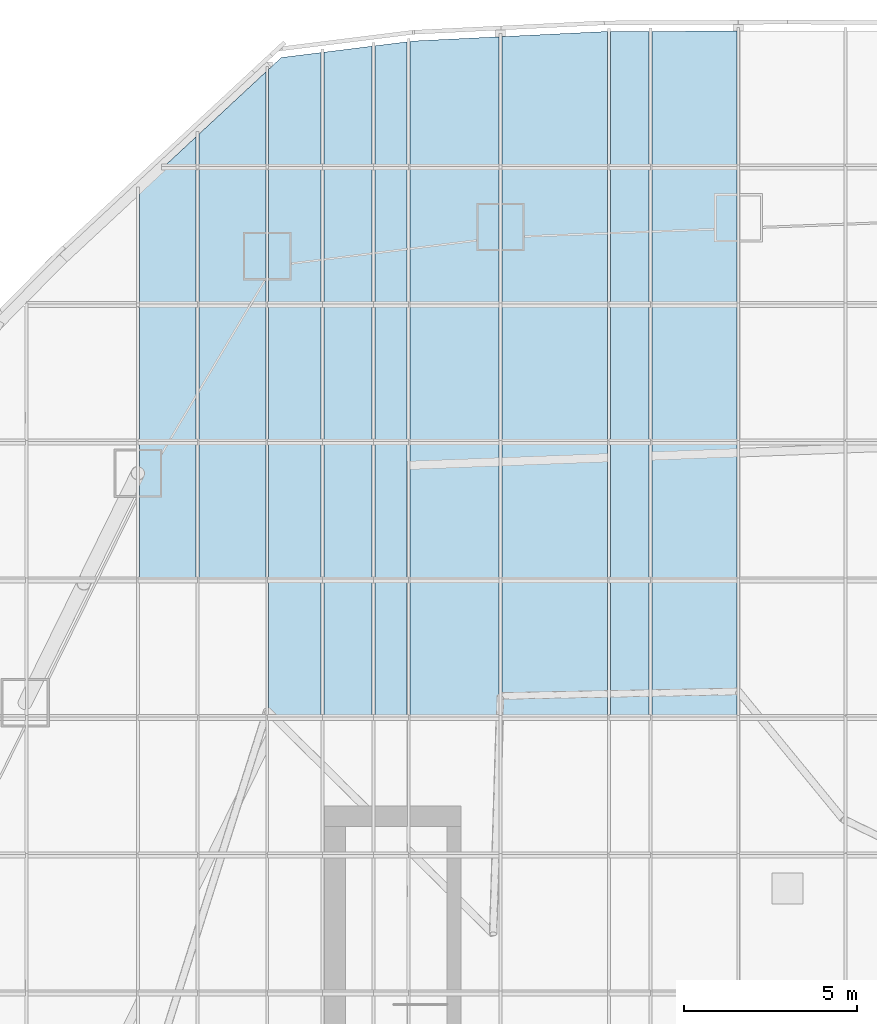
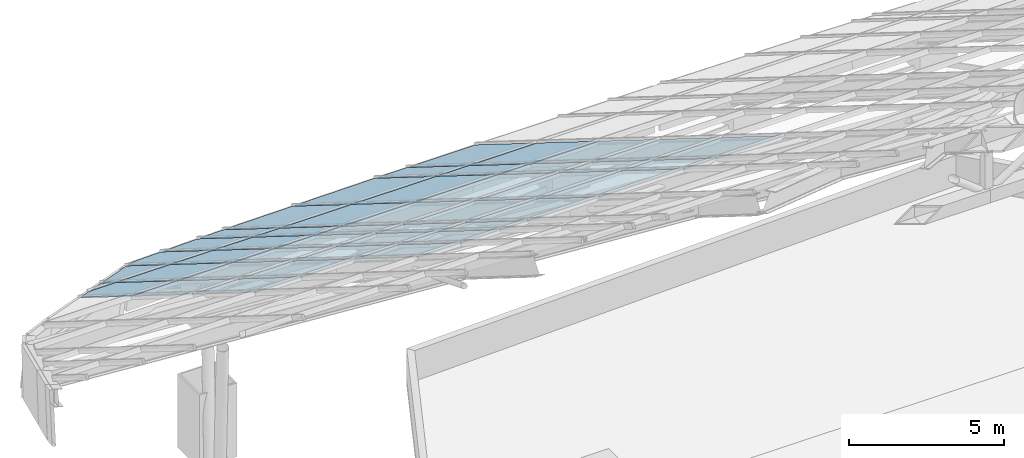
# One storey, part 32 of 38: 43 plates, 43 elements without a shape of their own.
"""IFC4 building model written with IfcOpenShell, lengths in metres."""

from ifc_helpers import new_model, si_unit, direction, frame, origin, place, context, subcontext, project, spatial, polyline, outline, extrude, material, layer, layer_set, type_object, element, aggregate, save


model = new_model("IFC4")

# Units and contexts
model_context = context("Model", 3, precision=1e-05, world=origin(), true_north=direction((0.0, 1.0)))
body_context = subcontext(model_context, "Body", "Model", "MODEL_VIEW")
ifc_project = project(units=[si_unit("LENGTHUNIT", "METRE"), si_unit("AREAUNIT", "SQUARE_METRE"), si_unit("VOLUMEUNIT", "CUBIC_METRE"), si_unit("PLANEANGLEUNIT", "RADIAN"), si_unit("MASSUNIT", "GRAM", prefix="KILO")], contexts=[model_context])

# Site, building, storey
site_placement = place(None, origin())
site = spatial("IfcSite", under=ifc_project, at=site_placement, CompositionType="ELEMENT")
building_placement = place(site_placement, origin())
building = spatial("IfcBuilding", under=site, at=building_placement, Name="Dongbaek Canopy Tower", CompositionType="ELEMENT")
storey_placement = place(building_placement, frame((0.0, 0.0, 375.800048828125)))
storey = spatial("IfcBuildingStorey", under=building, at=storey_placement, Name="Roof", CompositionType="ELEMENT", Elevation=375.800048828125)

# Curtain wall, plate
ifc_material_1 = material(Name="Aluminium 6063-T6 pale anodised", Category="aluminium")
ifc_layer_1 = layer(ifc_material_1, 0.199951171875)
ifc_layer_set_1 = layer_set([ifc_layer_1], Name="CW-6 canopy glazing curtain wall")
curtain_wall_type = type_object("IfcCurtainWallType", Name="CW-6 canopy glazing curtain wall", PredefinedType="NOTDEFINED", material=ifc_layer_set_1)
curtain_wall_1_placement = place(storey_placement, origin())
curtain_wall_1 = element("IfcCurtainWall", 1, at=curtain_wall_1_placement, inside=storey, type_object=curtain_wall_type, Name="CW-6 canopy glazing north 7.5", PredefinedType="NOTDEFINED")
ifc_material_2 = material(Name="Clear laminated glass", Category="glass")
ifc_layer_2 = layer(ifc_material_2, 0.0400390625)
ifc_layer_set_2 = layer_set([ifc_layer_2], Name="CW-6 glazed panel 40")
plate_type = type_object("IfcPlateType", Name="CW-6 glazed panel 40", PredefinedType="CURTAIN_PANEL", material=ifc_layer_set_2)
plate_1_placement = place(storey_placement, frame((-17.126953125, 16.98779296875, 8.132080078125), z_axis=(0.0, 0.529946450558, 0.848031107649), x_axis=(-1.0, 0.0, 0.0)))
plate_1 = element("IfcPlate", 2, at=plate_1_placement, type_object=plate_type, Name="CW-6 panel N7.5", PredefinedType="CURTAIN_PANEL", context=body_context, shape_type="SweptSolid", body=[
    extrude(outline(polyline([(0.0, 0.0), (1.635986328125, 0.0), (1.635986328125, -4.599060634916705), (0.0, -4.599060634916705), (0.0, 0.0)])), origin(), (0.0, 0.0, -1.0), 0.0400390625),
])
aggregate(curtain_wall_1, [plate_1])

curtain_wall_2_placement = place(storey_placement, origin())
curtain_wall_2 = element("IfcCurtainWall", 3, at=curtain_wall_2_placement, inside=storey, type_object=curtain_wall_type, Name="CW-6 canopy glazing north 7.6", PredefinedType="NOTDEFINED")
plate_2_placement = place(storey_placement, frame((-17.126953125, 20.97412109375, 5.64111328125), z_axis=(0.0, 0.52990827259, 0.848054964398), x_axis=(-1.0, 0.0, 0.0)))
plate_2 = element("IfcPlate", 4, at=plate_2_placement, type_object=plate_type, Name="CW-6 panel N7.6", PredefinedType="CURTAIN_PANEL", context=body_context, shape_type="SweptSolid", body=[
    extrude(outline(polyline([(0.0, 0.0), (1.635986328125, 0.0), (1.635986328125, -4.59893125811938), (0.0, -4.59893125811938), (0.0, 0.0)])), origin(), (0.0, 0.0, -1.0), 0.0400390625),
])
aggregate(curtain_wall_2, [plate_2])

curtain_wall_3_placement = place(storey_placement, origin())
curtain_wall_3 = element("IfcCurtainWall", 5, at=curtain_wall_3_placement, inside=storey, type_object=curtain_wall_type, Name="CW-6 canopy glazing north 7.7", PredefinedType="NOTDEFINED")
plate_3_placement = place(storey_placement, frame((-17.126953125, 24.960205078125, 3.150390625), z_axis=(3.8481889e-05, 0.529941814352, 0.848034003988), x_axis=(-0.99999999926, 2.0393162e-05, 3.2633951e-05)))
plate_3 = element("IfcPlate", 6, at=plate_3_placement, type_object=plate_type, Name="CW-6 panel N7.7", PredefinedType="CURTAIN_PANEL", context=body_context, shape_type="SweptSolid", body=[
    extrude(outline(polyline([(0.0, 0.0), (1.63598632691367, -5.5429372847178384e-21), (1.6359863307915166, -3.8824234031018836), (0.9826660139299334, -4.599060634847988), (-9.674731863351053e-10, -4.599060634847988), (0.0, 0.0)])), origin(), (0.0, 0.0, -1.0), 0.0400390625),
])
aggregate(curtain_wall_3, [plate_3])

curtain_wall_4_placement = place(storey_placement, origin())
curtain_wall_4 = element("IfcCurtainWall", 7, at=curtain_wall_4_placement, inside=storey, type_object=curtain_wall_type, Name="CW-6 canopy glazing north 7.8", PredefinedType="NOTDEFINED")
plate_4_placement = place(storey_placement, frame((-17.126953125, 28.946533203125, 0.659423828125), z_axis=(0.0, 0.530043908013, 0.847970197341), x_axis=(-1.0, 0.0, 0.0)))
plate_4 = element("IfcPlate", 8, at=plate_4_placement, type_object=plate_type, Name="CW-6 panel N7.8", PredefinedType="CURTAIN_PANEL", context=body_context, shape_type="SweptSolid", body=[
    extrude(outline(polyline([(0.0, 0.0), (0.89013671875, 0.0), (0.0, -0.9760209985510452), (0.0, 0.0)])), origin(), (0.0, 0.0, -1.0), 0.0400390625),
])
aggregate(curtain_wall_4, [plate_4])

curtain_wall_5_placement = place(storey_placement, origin())
curtain_wall_5 = element("IfcCurtainWall", 9, at=curtain_wall_5_placement, inside=storey, type_object=curtain_wall_type, Name="CW-6 canopy glazing north 8.5", PredefinedType="NOTDEFINED")
plate_5_placement = place(storey_placement, frame((-15.10498046875, 16.98779296875, 8.132080078125), z_axis=(0.0, 0.529946450558, 0.848031107649), x_axis=(-1.0, 0.0, 0.0)))
plate_5 = element("IfcPlate", 10, at=plate_5_placement, type_object=plate_type, Name="CW-6 panel N8.5", PredefinedType="CURTAIN_PANEL", context=body_context, shape_type="SweptSolid", body=[
    extrude(outline(polyline([(0.0, 0.0), (1.93603515625, 0.0), (1.93603515625, -4.599060634916705), (0.0, -4.599060634916705), (0.0, 0.0)])), origin(), (0.0, 0.0, -1.0), 0.0400390625),
])
aggregate(curtain_wall_5, [plate_5])

curtain_wall_6_placement = place(storey_placement, origin())
curtain_wall_6 = element("IfcCurtainWall", 11, at=curtain_wall_6_placement, inside=storey, type_object=curtain_wall_type, Name="CW-6 canopy glazing north 8.6", PredefinedType="NOTDEFINED")
plate_6_placement = place(storey_placement, frame((-15.10498046875, 20.97412109375, 5.64111328125), z_axis=(0.0, 0.52990827259, 0.848054964398), x_axis=(-1.0, 0.0, 0.0)))
plate_6 = element("IfcPlate", 12, at=plate_6_placement, type_object=plate_type, Name="CW-6 panel N8.6", PredefinedType="CURTAIN_PANEL", context=body_context, shape_type="SweptSolid", body=[
    extrude(outline(polyline([(0.0, 0.0), (1.93603515625, 0.0), (1.93603515625, -4.59893125811938), (0.0, -4.59893125811938), (0.0, 0.0)])), origin(), (0.0, 0.0, -1.0), 0.0400390625),
])
aggregate(curtain_wall_6, [plate_6])

curtain_wall_7_placement = place(storey_placement, origin())
curtain_wall_7 = element("IfcCurtainWall", 13, at=curtain_wall_7_placement, inside=storey, type_object=curtain_wall_type, Name="CW-6 canopy glazing north 8.7", PredefinedType="NOTDEFINED")
plate_7_placement = place(storey_placement, frame((-15.10498046875, 24.960205078125, 3.150390625), z_axis=(0.0, 0.529946450558, 0.848031107649), x_axis=(-1.0, 0.0, 0.0)))
plate_7 = element("IfcPlate", 14, at=plate_7_placement, type_object=plate_type, Name="CW-6 panel N8.7", PredefinedType="CURTAIN_PANEL", context=body_context, shape_type="SweptSolid", body=[
    extrude(outline(polyline([(0.0, 0.0), (1.93603515625, 0.0), (1.93603515625, -4.599060634916705), (0.0, -4.599060634916705), (0.0, 0.0)])), origin(), (0.0, 0.0, -1.0), 0.0400390625),
])
aggregate(curtain_wall_7, [plate_7])

curtain_wall_8_placement = place(storey_placement, origin())
curtain_wall_8 = element("IfcCurtainWall", 15, at=curtain_wall_8_placement, inside=storey, type_object=curtain_wall_type, Name="CW-6 canopy glazing north 8.8", PredefinedType="NOTDEFINED")
plate_8_placement = place(storey_placement, frame((-15.10498046875, 28.946533203125, 0.659423828125), z_axis=(3.025445e-06, 0.52988055539, 0.848072282892), x_axis=(-0.999999999995, 1.603125e-06, 2.565796e-06)))
plate_8 = element("IfcPlate", 16, at=plate_8_placement, type_object=plate_type, Name="CW-6 panel N8.8", PredefinedType="CURTAIN_PANEL", context=body_context, shape_type="SweptSolid", body=[
    extrude(outline(polyline([(0.0, 0.0), (1.9360351562411393, -4.0997139109659434e-22), (1.9360351562588605, -1.0703235541956075), (-1.7721149361780704e-11, -3.193424795799325), (0.0, 0.0)])), origin(), (0.0, 0.0, -1.0), 0.0400390625),
])
aggregate(curtain_wall_8, [plate_8])

curtain_wall_9_placement = place(storey_placement, origin())
curtain_wall_9 = element("IfcCurtainWall", 17, at=curtain_wall_9_placement, inside=storey, type_object=curtain_wall_type, Name="CW-6 canopy glazing north 9.4", PredefinedType="NOTDEFINED")
plate_9_placement = place(storey_placement, frame((-13.5078125, 13.001708984375, 10.622802734375), z_axis=(0.0, 0.52990827259, 0.848054964398), x_axis=(-1.0, 0.0, 0.0)))
plate_9 = element("IfcPlate", 18, at=plate_9_placement, type_object=plate_type, Name="CW-6 panel N9.4", PredefinedType="CURTAIN_PANEL", context=body_context, shape_type="SweptSolid", body=[
    extrude(outline(polyline([(0.0, 0.0), (1.51123046875, 0.0), (1.51123046875, -4.59893125811938), (0.0, -4.59893125811938), (0.0, 0.0)])), origin(), (0.0, 0.0, -1.0), 0.0400390625),
])
aggregate(curtain_wall_9, [plate_9])

curtain_wall_10_placement = place(storey_placement, origin())
curtain_wall_10 = element("IfcCurtainWall", 19, at=curtain_wall_10_placement, inside=storey, type_object=curtain_wall_type, Name="CW-6 canopy glazing north 9.5", PredefinedType="NOTDEFINED")
plate_10_placement = place(storey_placement, frame((-13.5078125, 16.98779296875, 8.132080078125), z_axis=(0.0, 0.529946450558, 0.848031107649), x_axis=(-1.0, 0.0, 0.0)))
plate_10 = element("IfcPlate", 20, at=plate_10_placement, type_object=plate_type, Name="CW-6 panel N9.5", PredefinedType="CURTAIN_PANEL", context=body_context, shape_type="SweptSolid", body=[
    extrude(outline(polyline([(0.0, 0.0), (1.51123046875, 0.0), (1.51123046875, -4.599060634916705), (0.0, -4.599060634916705), (0.0, 0.0)])), origin(), (0.0, 0.0, -1.0), 0.0400390625),
])
aggregate(curtain_wall_10, [plate_10])

curtain_wall_11_placement = place(storey_placement, origin())
curtain_wall_11 = element("IfcCurtainWall", 21, at=curtain_wall_11_placement, inside=storey, type_object=curtain_wall_type, Name="CW-6 canopy glazing north 9.6", PredefinedType="NOTDEFINED")
plate_11_placement = place(storey_placement, frame((-13.5078125, 20.97412109375, 5.64111328125), z_axis=(0.0, 0.52990827259, 0.848054964398), x_axis=(-1.0, 0.0, 0.0)))
plate_11 = element("IfcPlate", 22, at=plate_11_placement, type_object=plate_type, Name="CW-6 panel N9.6", PredefinedType="CURTAIN_PANEL", context=body_context, shape_type="SweptSolid", body=[
    extrude(outline(polyline([(0.0, 0.0), (1.51123046875, 0.0), (1.51123046875, -4.59893125811938), (0.0, -4.59893125811938), (0.0, 0.0)])), origin(), (0.0, 0.0, -1.0), 0.0400390625),
])
aggregate(curtain_wall_11, [plate_11])

curtain_wall_12_placement = place(storey_placement, origin())
curtain_wall_12 = element("IfcCurtainWall", 23, at=curtain_wall_12_placement, inside=storey, type_object=curtain_wall_type, Name="CW-6 canopy glazing north 9.7", PredefinedType="NOTDEFINED")
plate_12_placement = place(storey_placement, frame((-13.5078125, 24.960205078125, 3.150390625), z_axis=(0.0, 0.529946450558, 0.848031107649), x_axis=(-1.0, 0.0, 0.0)))
plate_12 = element("IfcPlate", 24, at=plate_12_placement, type_object=plate_type, Name="CW-6 panel N9.7", PredefinedType="CURTAIN_PANEL", context=body_context, shape_type="SweptSolid", body=[
    extrude(outline(polyline([(0.0, 0.0), (1.51123046875, 0.0), (1.51123046875, -4.599060634916705), (0.0, -4.599060634916705), (0.0, 0.0)])), origin(), (0.0, 0.0, -1.0), 0.0400390625),
])
aggregate(curtain_wall_12, [plate_12])

curtain_wall_13_placement = place(storey_placement, origin())
curtain_wall_13 = element("IfcCurtainWall", 25, at=curtain_wall_13_placement, inside=storey, type_object=curtain_wall_type, Name="CW-6 canopy glazing north 9.8", PredefinedType="NOTDEFINED")
plate_13_placement = place(storey_placement, frame((-13.5078125, 32.2158203125, -1.383544921875), z_axis=(3.0834152e-05, 0.529915243574, 0.848050607969), x_axis=(-7.66e-10, -0.848050608372, 0.529915243826)))
plate_13 = element("IfcPlate", 26, at=plate_13_placement, type_object=plate_type, Name="CW-6 panel N9.8", PredefinedType="CURTAIN_PANEL", context=body_context, shape_type="SweptSolid", body=[
    extrude(outline(polyline([(0.0, 0.0), (3.8551212053347266, -1.3552527156068805e-20), (3.8551212064928664, -1.5112304680316027), (0.5674715171482939, -1.5112304701215946), (0.16880775258618588, -1.1477050827514754), (0.0, 0.0)])), origin(), (0.0, 0.0, -1.0), 0.0400390625),
])
aggregate(curtain_wall_13, [plate_13])

curtain_wall_14_placement = place(storey_placement, origin())
curtain_wall_14 = element("IfcCurtainWall", 27, at=curtain_wall_14_placement, inside=storey, type_object=curtain_wall_type, Name="CW-6 canopy glazing north 10.4", PredefinedType="NOTDEFINED")
plate_14_placement = place(storey_placement, frame((-12.028076171875, 13.001708984375, 10.622802734375), z_axis=(0.0, 0.52990827259, 0.848054964398), x_axis=(-1.0, 0.0, 0.0)))
plate_14 = element("IfcPlate", 28, at=plate_14_placement, type_object=plate_type, Name="CW-6 panel N10.4", PredefinedType="CURTAIN_PANEL", context=body_context, shape_type="SweptSolid", body=[
    extrude(outline(polyline([(0.0, 0.0), (1.3935546875, 0.0), (1.3935546875, -4.59893125811938), (0.0, -4.59893125811938), (0.0, 0.0)])), origin(), (0.0, 0.0, -1.0), 0.0400390625),
])
aggregate(curtain_wall_14, [plate_14])

curtain_wall_15_placement = place(storey_placement, origin())
curtain_wall_15 = element("IfcCurtainWall", 29, at=curtain_wall_15_placement, inside=storey, type_object=curtain_wall_type, Name="CW-6 canopy glazing north 10.5", PredefinedType="NOTDEFINED")
plate_15_placement = place(storey_placement, frame((-12.028076171875, 16.98779296875, 8.132080078125), z_axis=(0.0, 0.529946450558, 0.848031107649), x_axis=(-1.0, 0.0, 0.0)))
plate_15 = element("IfcPlate", 30, at=plate_15_placement, type_object=plate_type, Name="CW-6 panel N10.5", PredefinedType="CURTAIN_PANEL", context=body_context, shape_type="SweptSolid", body=[
    extrude(outline(polyline([(0.0, 0.0), (1.3935546875, 0.0), (1.3935546875, -4.599060634916705), (0.0, -4.599060634916705), (0.0, 0.0)])), origin(), (0.0, 0.0, -1.0), 0.0400390625),
])
aggregate(curtain_wall_15, [plate_15])

curtain_wall_16_placement = place(storey_placement, origin())
curtain_wall_16 = element("IfcCurtainWall", 31, at=curtain_wall_16_placement, inside=storey, type_object=curtain_wall_type, Name="CW-6 canopy glazing north 10.6", PredefinedType="NOTDEFINED")
plate_16_placement = place(storey_placement, frame((-12.028076171875, 20.97412109375, 5.64111328125), z_axis=(0.0, 0.52990827259, 0.848054964398), x_axis=(-1.0, 0.0, 0.0)))
plate_16 = element("IfcPlate", 32, at=plate_16_placement, type_object=plate_type, Name="CW-6 panel N10.6", PredefinedType="CURTAIN_PANEL", context=body_context, shape_type="SweptSolid", body=[
    extrude(outline(polyline([(0.0, 0.0), (1.3935546875, 0.0), (1.3935546875, -4.59893125811938), (0.0, -4.59893125811938), (0.0, 0.0)])), origin(), (0.0, 0.0, -1.0), 0.0400390625),
])
aggregate(curtain_wall_16, [plate_16])

curtain_wall_17_placement = place(storey_placement, origin())
curtain_wall_17 = element("IfcCurtainWall", 33, at=curtain_wall_17_placement, inside=storey, type_object=curtain_wall_type, Name="CW-6 canopy glazing north 10.7", PredefinedType="NOTDEFINED")
plate_17_placement = place(storey_placement, frame((-12.028076171875, 24.960205078125, 3.150390625), z_axis=(0.0, 0.529946450558, 0.848031107649), x_axis=(-1.0, 0.0, 0.0)))
plate_17 = element("IfcPlate", 34, at=plate_17_placement, type_object=plate_type, Name="CW-6 panel N10.7", PredefinedType="CURTAIN_PANEL", context=body_context, shape_type="SweptSolid", body=[
    extrude(outline(polyline([(0.0, 0.0), (1.3935546875, 0.0), (1.3935546875, -4.599060634916705), (0.0, -4.599060634916705), (0.0, 0.0)])), origin(), (0.0, 0.0, -1.0), 0.0400390625),
])
aggregate(curtain_wall_17, [plate_17])

curtain_wall_18_placement = place(storey_placement, origin())
curtain_wall_18 = element("IfcCurtainWall", 35, at=curtain_wall_18_placement, inside=storey, type_object=curtain_wall_type, Name="CW-6 canopy glazing north 10.8", PredefinedType="NOTDEFINED")
plate_18_placement = place(storey_placement, frame((-12.028076171875, 28.946533203125, 0.659423828125), z_axis=(3.4337889e-05, 0.529924320067, 0.848044936204), x_axis=(-0.99999999941, 1.8196482e-05, 2.9120073e-05)))
plate_18 = element("IfcPlate", 36, at=plate_18_placement, type_object=plate_type, Name="CW-6 panel N10.8", PredefinedType="CURTAIN_PANEL", context=body_context, shape_type="SweptSolid", body=[
    extrude(outline(polyline([(0.0, 0.0), (1.3935546866784363, 0.0), (1.3935546883215637, -3.8677242173369946), (-1.6431272484258375e-09, -4.073047041252923), (0.0, 0.0)])), origin(), (0.0, 0.0, -1.0), 0.0400390625),
])
aggregate(curtain_wall_18, [plate_18])

curtain_wall_19_placement = place(storey_placement, origin())
curtain_wall_19 = element("IfcCurtainWall", 37, at=curtain_wall_19_placement, inside=storey, type_object=curtain_wall_type, Name="CW-6 canopy glazing north 11.4", PredefinedType="NOTDEFINED")
plate_19_placement = place(storey_placement, frame((-11.0078125, 13.001708984375, 10.622802734375), z_axis=(0.0, 0.52990827259, 0.848054964398), x_axis=(-1.0, 0.0, 0.0)))
plate_19 = element("IfcPlate", 38, at=plate_19_placement, type_object=plate_type, Name="CW-6 panel N11.4", PredefinedType="CURTAIN_PANEL", context=body_context, shape_type="SweptSolid", body=[
    extrude(outline(polyline([(0.0, 0.0), (0.93408203125, 0.0), (0.93408203125, -4.5989312581193795), (0.0, -4.5989312581193795), (0.0, 0.0)])), origin(), (0.0, 0.0, -1.0), 0.0400390625),
])
aggregate(curtain_wall_19, [plate_19])

curtain_wall_20_placement = place(storey_placement, origin())
curtain_wall_20 = element("IfcCurtainWall", 39, at=curtain_wall_20_placement, inside=storey, type_object=curtain_wall_type, Name="CW-6 canopy glazing north 11.5", PredefinedType="NOTDEFINED")
plate_20_placement = place(storey_placement, frame((-11.0078125, 16.98779296875, 8.132080078125), z_axis=(0.0, 0.529946450558, 0.848031107649), x_axis=(-1.0, 0.0, 0.0)))
plate_20 = element("IfcPlate", 40, at=plate_20_placement, type_object=plate_type, Name="CW-6 panel N11.5", PredefinedType="CURTAIN_PANEL", context=body_context, shape_type="SweptSolid", body=[
    extrude(outline(polyline([(0.0, 0.0), (0.93408203125, 0.0), (0.93408203125, -4.599060634916705), (0.0, -4.599060634916705), (0.0, 0.0)])), origin(), (0.0, 0.0, -1.0), 0.0400390625),
])
aggregate(curtain_wall_20, [plate_20])

curtain_wall_21_placement = place(storey_placement, origin())
curtain_wall_21 = element("IfcCurtainWall", 41, at=curtain_wall_21_placement, inside=storey, type_object=curtain_wall_type, Name="CW-6 canopy glazing north 11.6", PredefinedType="NOTDEFINED")
plate_21_placement = place(storey_placement, frame((-11.0078125, 20.97412109375, 5.64111328125), z_axis=(0.0, 0.52990827259, 0.848054964398), x_axis=(-1.0, 0.0, 0.0)))
plate_21 = element("IfcPlate", 42, at=plate_21_placement, type_object=plate_type, Name="CW-6 panel N11.6", PredefinedType="CURTAIN_PANEL", context=body_context, shape_type="SweptSolid", body=[
    extrude(outline(polyline([(0.0, 0.0), (0.93408203125, 0.0), (0.93408203125, -4.5989312581193795), (0.0, -4.5989312581193795), (0.0, 0.0)])), origin(), (0.0, 0.0, -1.0), 0.0400390625),
])
aggregate(curtain_wall_21, [plate_21])

curtain_wall_22_placement = place(storey_placement, origin())
curtain_wall_22 = element("IfcCurtainWall", 43, at=curtain_wall_22_placement, inside=storey, type_object=curtain_wall_type, Name="CW-6 canopy glazing north 11.7", PredefinedType="NOTDEFINED")
plate_22_placement = place(storey_placement, frame((-11.0078125, 24.960205078125, 3.150390625), z_axis=(0.0, 0.529946450558, 0.848031107649), x_axis=(-1.0, 0.0, 0.0)))
plate_22 = element("IfcPlate", 44, at=plate_22_placement, type_object=plate_type, Name="CW-6 panel N11.7", PredefinedType="CURTAIN_PANEL", context=body_context, shape_type="SweptSolid", body=[
    extrude(outline(polyline([(0.0, 0.0), (0.93408203125, 0.0), (0.93408203125, -4.599060634916705), (0.0, -4.599060634916705), (0.0, 0.0)])), origin(), (0.0, 0.0, -1.0), 0.0400390625),
])
aggregate(curtain_wall_22, [plate_22])

curtain_wall_23_placement = place(storey_placement, origin())
curtain_wall_23 = element("IfcCurtainWall", 45, at=curtain_wall_23_placement, inside=storey, type_object=curtain_wall_type, Name="CW-6 canopy glazing north 11.8", PredefinedType="NOTDEFINED")
plate_23_placement = place(storey_placement, frame((-11.0078125, 28.946533203125, 0.659423828125), z_axis=(3.4589743e-05, 0.52991970272, 0.848047821454), x_axis=(-0.999999999402, 1.8329786e-05, 2.9333756e-05)))
plate_23 = element("IfcPlate", 46, at=plate_23_placement, type_object=plate_type, Name="CW-6 panel N11.8", PredefinedType="CURTAIN_PANEL", context=body_context, shape_type="SweptSolid", body=[
    extrude(outline(polyline([(0.0, 0.0), (0.9340820306912087, -3.164793023627884e-21), (0.9340820318087915, -4.085650052686969), (-1.1175827537978234e-09, -4.223299674294764), (0.0, 0.0)])), origin(), (0.0, 0.0, -1.0), 0.0400390625),
])
aggregate(curtain_wall_23, [plate_23])

curtain_wall_24_placement = place(storey_placement, origin())
curtain_wall_24 = element("IfcCurtainWall", 47, at=curtain_wall_24_placement, inside=storey, type_object=curtain_wall_type, Name="CW-6 canopy glazing north 12.4", PredefinedType="NOTDEFINED")
plate_24_placement = place(storey_placement, frame((-8.35205078125, 13.001708984375, 10.622802734375), z_axis=(0.0, 0.52990827259, 0.848054964398), x_axis=(-1.0, 0.0, 0.0)))
plate_24 = element("IfcPlate", 48, at=plate_24_placement, type_object=plate_type, Name="CW-6 panel N12.4", PredefinedType="CURTAIN_PANEL", context=body_context, shape_type="SweptSolid", body=[
    extrude(outline(polyline([(0.0, 0.0), (2.569580078125, 0.0), (2.569580078125, -4.5989312581193795), (0.0, -4.5989312581193795), (0.0, 0.0)])), origin(), (0.0, 0.0, -1.0), 0.0400390625),
])
aggregate(curtain_wall_24, [plate_24])

curtain_wall_25_placement = place(storey_placement, origin())
curtain_wall_25 = element("IfcCurtainWall", 49, at=curtain_wall_25_placement, inside=storey, type_object=curtain_wall_type, Name="CW-6 canopy glazing north 12.5", PredefinedType="NOTDEFINED")
plate_25_placement = place(storey_placement, frame((-8.35205078125, 16.98779296875, 8.132080078125), z_axis=(0.0, 0.529946450558, 0.848031107649), x_axis=(-1.0, 0.0, 0.0)))
plate_25 = element("IfcPlate", 50, at=plate_25_placement, type_object=plate_type, Name="CW-6 panel N12.5", PredefinedType="CURTAIN_PANEL", context=body_context, shape_type="SweptSolid", body=[
    extrude(outline(polyline([(0.0, 0.0), (2.569580078125, 0.0), (2.569580078125, -4.599060634916705), (0.0, -4.599060634916705), (0.0, 0.0)])), origin(), (0.0, 0.0, -1.0), 0.0400390625),
])
aggregate(curtain_wall_25, [plate_25])

curtain_wall_26_placement = place(storey_placement, origin())
curtain_wall_26 = element("IfcCurtainWall", 51, at=curtain_wall_26_placement, inside=storey, type_object=curtain_wall_type, Name="CW-6 canopy glazing north 12.6", PredefinedType="NOTDEFINED")
plate_26_placement = place(storey_placement, frame((-8.35205078125, 20.97412109375, 5.64111328125), z_axis=(0.0, 0.52990827259, 0.848054964398), x_axis=(-1.0, 0.0, 0.0)))
plate_26 = element("IfcPlate", 52, at=plate_26_placement, type_object=plate_type, Name="CW-6 panel N12.6", PredefinedType="CURTAIN_PANEL", context=body_context, shape_type="SweptSolid", body=[
    extrude(outline(polyline([(0.0, 0.0), (2.569580078125, 0.0), (2.569580078125, -4.5989312581193795), (0.0, -4.5989312581193795), (0.0, 0.0)])), origin(), (0.0, 0.0, -1.0), 0.0400390625),
])
aggregate(curtain_wall_26, [plate_26])

curtain_wall_27_placement = place(storey_placement, origin())
curtain_wall_27 = element("IfcCurtainWall", 53, at=curtain_wall_27_placement, inside=storey, type_object=curtain_wall_type, Name="CW-6 canopy glazing north 12.7", PredefinedType="NOTDEFINED")
plate_27_placement = place(storey_placement, frame((-8.35205078125, 24.960205078125, 3.150390625), z_axis=(0.0, 0.529946450558, 0.848031107649), x_axis=(-1.0, 0.0, 0.0)))
plate_27 = element("IfcPlate", 54, at=plate_27_placement, type_object=plate_type, Name="CW-6 panel N12.7", PredefinedType="CURTAIN_PANEL", context=body_context, shape_type="SweptSolid", body=[
    extrude(outline(polyline([(0.0, 0.0), (2.569580078125, 0.0), (2.569580078125, -4.599060634916705), (0.0, -4.599060634916705), (0.0, 0.0)])), origin(), (0.0, 0.0, -1.0), 0.0400390625),
])
aggregate(curtain_wall_27, [plate_27])

curtain_wall_28_placement = place(storey_placement, origin())
curtain_wall_28 = element("IfcCurtainWall", 55, at=curtain_wall_28_placement, inside=storey, type_object=curtain_wall_type, Name="CW-6 canopy glazing north 12.8", PredefinedType="NOTDEFINED")
plate_28_placement = place(storey_placement, frame((-8.35205078125, 32.673828125, -1.669677734375), z_axis=(1.7653812e-05, 0.529922410158, 0.848046130172), x_axis=(-3.4e-11, -0.848046130305, 0.529922410241)))
plate_28 = element("IfcPlate", 56, at=plate_28_placement, type_object=plate_type, Name="CW-6 panel N12.8", PredefinedType="CURTAIN_PANEL", context=body_context, shape_type="SweptSolid", body=[
    extrude(outline(polyline([(0.0, 0.0), (4.395161148695638, 6.776263578034403e-21), (4.395161148782939, -2.569580077724586), (0.15925846297835367, -2.569580079343482), (0.14279951859073342, -2.457031249839776), (0.0, 0.0)])), origin(), (0.0, 0.0, -1.0), 0.0400390625),
])
aggregate(curtain_wall_28, [plate_28])

curtain_wall_29_placement = place(storey_placement, origin())
curtain_wall_29 = element("IfcCurtainWall", 57, at=curtain_wall_29_placement, inside=storey, type_object=curtain_wall_type, Name="CW-6 canopy glazing north 13.4", PredefinedType="NOTDEFINED")
plate_29_placement = place(storey_placement, frame((-5.208984375, 13.001708984375, 10.622802734375), z_axis=(0.0, 0.52990827259, 0.848054964398), x_axis=(-1.0, 0.0, 0.0)))
plate_29 = element("IfcPlate", 58, at=plate_29_placement, type_object=plate_type, Name="CW-6 panel N13.4", PredefinedType="CURTAIN_PANEL", context=body_context, shape_type="SweptSolid", body=[
    extrude(outline(polyline([(0.0, 0.0), (3.05712890625, 0.0), (3.05712890625, -4.59893125811938), (0.0, -4.59893125811938), (0.0, 0.0)])), origin(), (0.0, 0.0, -1.0), 0.0400390625),
])
aggregate(curtain_wall_29, [plate_29])

curtain_wall_30_placement = place(storey_placement, origin())
curtain_wall_30 = element("IfcCurtainWall", 59, at=curtain_wall_30_placement, inside=storey, type_object=curtain_wall_type, Name="CW-6 canopy glazing north 13.5", PredefinedType="NOTDEFINED")
plate_30_placement = place(storey_placement, frame((-5.208984375, 16.98779296875, 8.132080078125), z_axis=(0.0, 0.529946450558, 0.848031107649), x_axis=(-1.0, 0.0, 0.0)))
plate_30 = element("IfcPlate", 60, at=plate_30_placement, type_object=plate_type, Name="CW-6 panel N13.5", PredefinedType="CURTAIN_PANEL", context=body_context, shape_type="SweptSolid", body=[
    extrude(outline(polyline([(0.0, 0.0), (3.05712890625, 0.0), (3.05712890625, -4.599060634916706), (0.0, -4.599060634916706), (0.0, 0.0)])), origin(), (0.0, 0.0, -1.0), 0.0400390625),
])
aggregate(curtain_wall_30, [plate_30])

curtain_wall_31_placement = place(storey_placement, origin())
curtain_wall_31 = element("IfcCurtainWall", 61, at=curtain_wall_31_placement, inside=storey, type_object=curtain_wall_type, Name="CW-6 canopy glazing north 13.6", PredefinedType="NOTDEFINED")
plate_31_placement = place(storey_placement, frame((-5.208984375, 20.97412109375, 5.64111328125), z_axis=(0.0, 0.52990827259, 0.848054964398), x_axis=(-1.0, 0.0, 0.0)))
plate_31 = element("IfcPlate", 62, at=plate_31_placement, type_object=plate_type, Name="CW-6 panel N13.6", PredefinedType="CURTAIN_PANEL", context=body_context, shape_type="SweptSolid", body=[
    extrude(outline(polyline([(0.0, 0.0), (3.05712890625, 0.0), (3.05712890625, -4.59893125811938), (0.0, -4.59893125811938), (0.0, 0.0)])), origin(), (0.0, 0.0, -1.0), 0.0400390625),
])
aggregate(curtain_wall_31, [plate_31])

curtain_wall_32_placement = place(storey_placement, origin())
curtain_wall_32 = element("IfcCurtainWall", 63, at=curtain_wall_32_placement, inside=storey, type_object=curtain_wall_type, Name="CW-6 canopy glazing north 13.7", PredefinedType="NOTDEFINED")
plate_32_placement = place(storey_placement, frame((-5.208984375, 24.960205078125, 3.150390625), z_axis=(0.0, 0.529946450558, 0.848031107649), x_axis=(-1.0, 0.0, 0.0)))
plate_32 = element("IfcPlate", 64, at=plate_32_placement, type_object=plate_type, Name="CW-6 panel N13.7", PredefinedType="CURTAIN_PANEL", context=body_context, shape_type="SweptSolid", body=[
    extrude(outline(polyline([(0.0, 0.0), (3.05712890625, 0.0), (3.05712890625, -4.599060634916706), (0.0, -4.599060634916706), (0.0, 0.0)])), origin(), (0.0, 0.0, -1.0), 0.0400390625),
])
aggregate(curtain_wall_32, [plate_32])

curtain_wall_33_placement = place(storey_placement, origin())
curtain_wall_33 = element("IfcCurtainWall", 65, at=curtain_wall_33_placement, inside=storey, type_object=curtain_wall_type, Name="CW-6 canopy glazing north 13.8", PredefinedType="NOTDEFINED")
plate_33_placement = place(storey_placement, frame((-5.208984375, 32.823974609375, -1.763427734375), z_axis=(-1.717754e-06, 0.529918188162, 0.848048768557), x_axis=(-1.1e-11, -0.848048768559, 0.529918188163)))
plate_33 = element("IfcPlate", 66, at=plate_33_placement, type_object=plate_type, Name="CW-6 panel N13.8", PredefinedType="CURTAIN_PANEL", context=body_context, shape_type="SweptSolid", body=[
    extrude(outline(polyline([(0.0, 0.0), (4.572172519916984, 0.0), (4.572172519951947, -3.0571289062454894), (0.17186147440370889, -3.057128906259866), (0.0005434608716723071, -0.1086425782136516), (0.0, 0.0)])), origin(), (0.0, 0.0, -1.0), 0.0400390625),
])
aggregate(curtain_wall_33, [plate_33])

curtain_wall_34_placement = place(storey_placement, origin())
curtain_wall_34 = element("IfcCurtainWall", 67, at=curtain_wall_34_placement, inside=storey, type_object=curtain_wall_type, Name="CW-6 canopy glazing north 14.4", PredefinedType="NOTDEFINED")
plate_34_placement = place(storey_placement, frame((-4.0078125, 13.001708984375, 10.622802734375), z_axis=(0.0, 0.52990827259, 0.848054964398), x_axis=(-1.0, 0.0, 0.0)))
plate_34 = element("IfcPlate", 68, at=plate_34_placement, type_object=plate_type, Name="CW-6 panel N14.4", PredefinedType="CURTAIN_PANEL", context=body_context, shape_type="SweptSolid", body=[
    extrude(outline(polyline([(0.0, 0.0), (1.115234375, 0.0), (1.115234375, -4.5989312581193795), (0.0, -4.5989312581193795), (0.0, 0.0)])), origin(), (0.0, 0.0, -1.0), 0.0400390625),
])
aggregate(curtain_wall_34, [plate_34])

curtain_wall_35_placement = place(storey_placement, origin())
curtain_wall_35 = element("IfcCurtainWall", 69, at=curtain_wall_35_placement, inside=storey, type_object=curtain_wall_type, Name="CW-6 canopy glazing north 14.5", PredefinedType="NOTDEFINED")
plate_35_placement = place(storey_placement, frame((-4.0078125, 16.98779296875, 8.132080078125), z_axis=(0.0, 0.529946450558, 0.848031107649), x_axis=(-1.0, 0.0, 0.0)))
plate_35 = element("IfcPlate", 70, at=plate_35_placement, type_object=plate_type, Name="CW-6 panel N14.5", PredefinedType="CURTAIN_PANEL", context=body_context, shape_type="SweptSolid", body=[
    extrude(outline(polyline([(0.0, 0.0), (1.115234375, 0.0), (1.115234375, -4.599060634916705), (0.0, -4.599060634916705), (0.0, 0.0)])), origin(), (0.0, 0.0, -1.0), 0.0400390625),
])
aggregate(curtain_wall_35, [plate_35])

curtain_wall_36_placement = place(storey_placement, origin())
curtain_wall_36 = element("IfcCurtainWall", 71, at=curtain_wall_36_placement, inside=storey, type_object=curtain_wall_type, Name="CW-6 canopy glazing north 14.6", PredefinedType="NOTDEFINED")
plate_36_placement = place(storey_placement, frame((-4.0078125, 20.97412109375, 5.64111328125), z_axis=(0.0, 0.52990827259, 0.848054964398), x_axis=(-1.0, 0.0, 0.0)))
plate_36 = element("IfcPlate", 72, at=plate_36_placement, type_object=plate_type, Name="CW-6 panel N14.6", PredefinedType="CURTAIN_PANEL", context=body_context, shape_type="SweptSolid", body=[
    extrude(outline(polyline([(0.0, 0.0), (1.115234375, 0.0), (1.115234375, -4.5989312581193795), (0.0, -4.5989312581193795), (0.0, 0.0)])), origin(), (0.0, 0.0, -1.0), 0.0400390625),
])
aggregate(curtain_wall_36, [plate_36])

curtain_wall_37_placement = place(storey_placement, origin())
curtain_wall_37 = element("IfcCurtainWall", 73, at=curtain_wall_37_placement, inside=storey, type_object=curtain_wall_type, Name="CW-6 canopy glazing north 14.7", PredefinedType="NOTDEFINED")
plate_37_placement = place(storey_placement, frame((-4.0078125, 24.960205078125, 3.150390625), z_axis=(0.0, 0.529946450558, 0.848031107649), x_axis=(-1.0, 0.0, 0.0)))
plate_37 = element("IfcPlate", 74, at=plate_37_placement, type_object=plate_type, Name="CW-6 panel N14.7", PredefinedType="CURTAIN_PANEL", context=body_context, shape_type="SweptSolid", body=[
    extrude(outline(polyline([(0.0, 0.0), (1.115234375, 0.0), (1.115234375, -4.599060634916705), (0.0, -4.599060634916705), (0.0, 0.0)])), origin(), (0.0, 0.0, -1.0), 0.0400390625),
])
aggregate(curtain_wall_37, [plate_37])

curtain_wall_38_placement = place(storey_placement, origin())
curtain_wall_38 = element("IfcCurtainWall", 75, at=curtain_wall_38_placement, inside=storey, type_object=curtain_wall_type, Name="CW-6 canopy glazing north 14.8", PredefinedType="NOTDEFINED")
plate_38_placement = place(storey_placement, frame((-4.0078125, 28.946533203125, 0.659423828125), z_axis=(-4.6164277e-05, 0.529917398229, 0.848049260906), x_axis=(-0.999999998934, -2.4463254e-05, -3.9149581e-05)))
plate_38 = element("IfcPlate", 76, at=plate_38_placement, type_object=plate_type, Name="CW-6 panel N14.8", PredefinedType="CURTAIN_PANEL", context=body_context, shape_type="SweptSolid", body=[
    extrude(outline(polyline([(0.0, 0.0), (1.1152343738116395, 0.0), (1.1152343761883605, -4.572508937585087), (-2.376721102871214e-09, -4.578202295500545), (0.0, 0.0)])), origin(), (0.0, 0.0, -1.0), 0.0400390625),
])
aggregate(curtain_wall_38, [plate_38])

curtain_wall_39_placement = place(storey_placement, origin())
curtain_wall_39 = element("IfcCurtainWall", 77, at=curtain_wall_39_placement, inside=storey, type_object=curtain_wall_type, Name="CW-6 canopy glazing north 15.4", PredefinedType="NOTDEFINED")
plate_39_placement = place(storey_placement, frame((-1.4609375, 13.001708984375, 10.622802734375), z_axis=(0.0, 0.52990827259, 0.848054964398), x_axis=(-1.0, 0.0, 0.0)))
plate_39 = element("IfcPlate", 78, at=plate_39_placement, type_object=plate_type, Name="CW-6 panel N15.4", PredefinedType="CURTAIN_PANEL", context=body_context, shape_type="SweptSolid", body=[
    extrude(outline(polyline([(0.0, 0.0), (2.460693359375, 0.0), (2.460693359375, -4.59893125811938), (0.0, -4.59893125811938), (0.0, 0.0)])), origin(), (0.0, 0.0, -1.0), 0.0400390625),
])
aggregate(curtain_wall_39, [plate_39])

curtain_wall_40_placement = place(storey_placement, origin())
curtain_wall_40 = element("IfcCurtainWall", 79, at=curtain_wall_40_placement, inside=storey, type_object=curtain_wall_type, Name="CW-6 canopy glazing north 15.5", PredefinedType="NOTDEFINED")
plate_40_placement = place(storey_placement, frame((-1.4609375, 16.98779296875, 8.132080078125), z_axis=(0.0, 0.529946450558, 0.848031107649), x_axis=(-1.0, 0.0, 0.0)))
plate_40 = element("IfcPlate", 80, at=plate_40_placement, type_object=plate_type, Name="CW-6 panel N15.5", PredefinedType="CURTAIN_PANEL", context=body_context, shape_type="SweptSolid", body=[
    extrude(outline(polyline([(0.0, 0.0), (2.460693359375, 0.0), (2.460693359375, -4.599060634916705), (0.0, -4.599060634916705), (0.0, 0.0)])), origin(), (0.0, 0.0, -1.0), 0.0400390625),
])
aggregate(curtain_wall_40, [plate_40])

curtain_wall_41_placement = place(storey_placement, origin())
curtain_wall_41 = element("IfcCurtainWall", 81, at=curtain_wall_41_placement, inside=storey, type_object=curtain_wall_type, Name="CW-6 canopy glazing north 15.6", PredefinedType="NOTDEFINED")
plate_41_placement = place(storey_placement, frame((-1.4609375, 20.97412109375, 5.64111328125), z_axis=(0.0, 0.52990827259, 0.848054964398), x_axis=(-1.0, 0.0, 0.0)))
plate_41 = element("IfcPlate", 82, at=plate_41_placement, type_object=plate_type, Name="CW-6 panel N15.6", PredefinedType="CURTAIN_PANEL", context=body_context, shape_type="SweptSolid", body=[
    extrude(outline(polyline([(0.0, 0.0), (2.460693359375, 0.0), (2.460693359375, -4.59893125811938), (0.0, -4.59893125811938), (0.0, 0.0)])), origin(), (0.0, 0.0, -1.0), 0.0400390625),
])
aggregate(curtain_wall_41, [plate_41])

curtain_wall_42_placement = place(storey_placement, origin())
curtain_wall_42 = element("IfcCurtainWall", 83, at=curtain_wall_42_placement, inside=storey, type_object=curtain_wall_type, Name="CW-6 canopy glazing north 15.7", PredefinedType="NOTDEFINED")
plate_42_placement = place(storey_placement, frame((-1.4609375, 24.960205078125, 3.150390625), z_axis=(0.0, 0.529946450558, 0.848031107649), x_axis=(-1.0, 0.0, 0.0)))
plate_42 = element("IfcPlate", 84, at=plate_42_placement, type_object=plate_type, Name="CW-6 panel N15.7", PredefinedType="CURTAIN_PANEL", context=body_context, shape_type="SweptSolid", body=[
    extrude(outline(polyline([(0.0, 0.0), (2.460693359375, 0.0), (2.460693359375, -4.599060634916705), (0.0, -4.599060634916705), (0.0, 0.0)])), origin(), (0.0, 0.0, -1.0), 0.0400390625),
])
aggregate(curtain_wall_42, [plate_42])

curtain_wall_43_placement = place(storey_placement, origin())
curtain_wall_43 = element("IfcCurtainWall", 85, at=curtain_wall_43_placement, inside=storey, type_object=curtain_wall_type, Name="CW-6 canopy glazing north 15.8", PredefinedType="NOTDEFINED")
plate_43_placement = place(storey_placement, frame((-1.4609375, 28.946533203125, 0.659423828125), z_axis=(2.1311232e-05, 0.529907999193, 0.848055134963), x_axis=(-0.999999999773, 1.1292992e-05, 1.80731e-05)))
plate_43 = element("IfcPlate", 86, at=plate_43_placement, type_object=plate_type, Name="CW-6 panel N15.8", PredefinedType="CURTAIN_PANEL", context=body_context, shape_type="SweptSolid", body=[
    extrude(outline(polyline([(0.0, 0.0), (2.4606933588162154, -4.168576696960983e-21), (2.460693359933785, -4.578745757281574), (-1.117569680318621e-09, -4.591478142517809), (0.0, 0.0)])), origin(), (0.0, 0.0, -1.0), 0.0400390625),
])
aggregate(curtain_wall_43, [plate_43])

save(model, "model.ifc")
